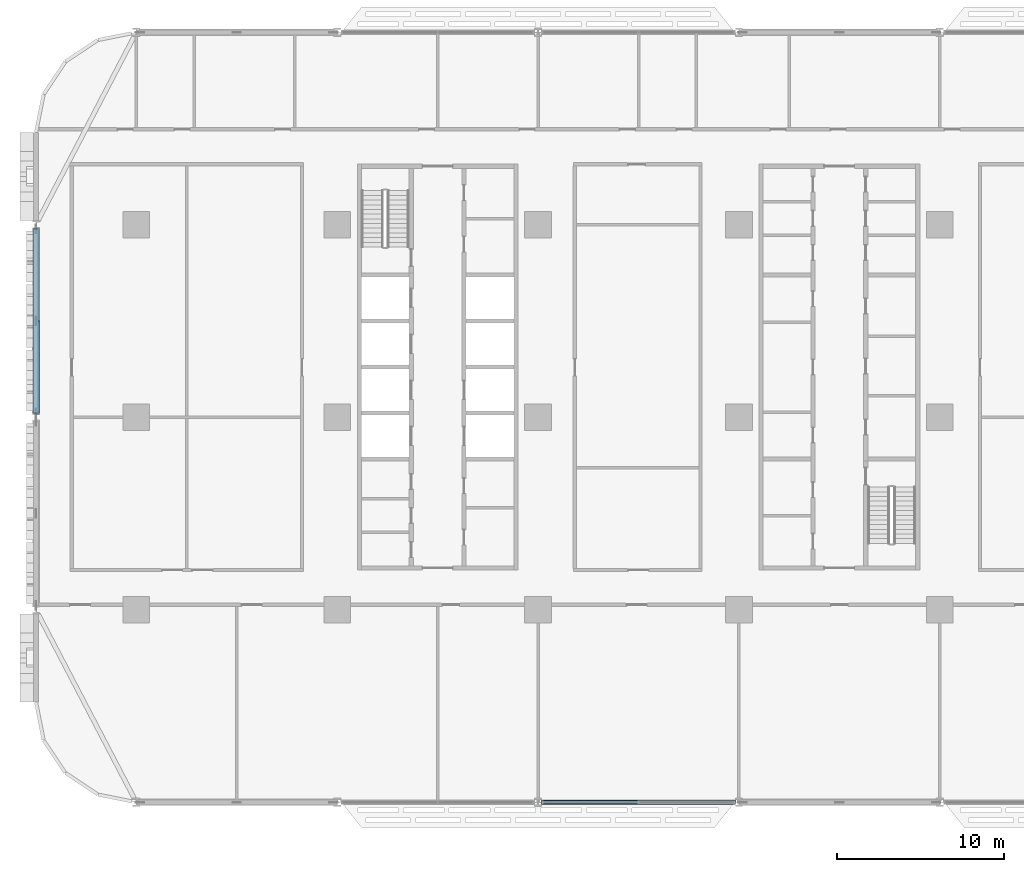
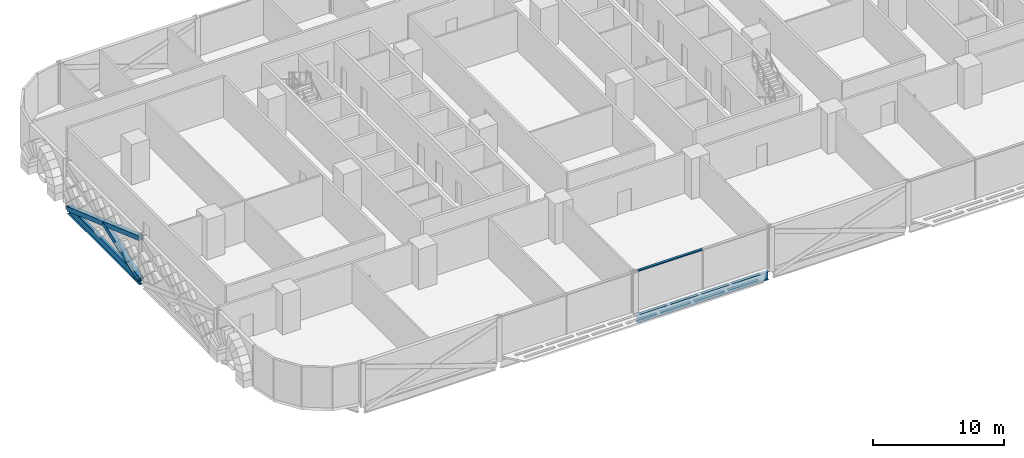
# One storey, part 3 of 29: 3 members, 2 beams, 1 element without a shape of its own.
"""IFC4 building model written with IfcOpenShell, lengths in metres."""

import ifcopenshell
import ifcopenshell.guid

model = None  # the IFC model being written
_history = None  # IfcOwnerHistory: only IFC2X3 demands one
_inside = {}  # id of a spatial element -> (the spatial element, [elements in it])
_under = {}  # id of a project, library or spatial element -> (it, [spatial elements below it])
_declared = {}  # id of a project -> (the project, [libraries it declares])
_typed = {}  # id of a type object -> (the type object, [elements of that type])
_made_of = {}  # id of a material, layer set ... -> (it, [elements and type objects made of it])


def new_model(schema):
    """Start an empty IFC model of exactly this schema.

    Asked for "IFC4X3", IfcOpenShell would pick the latest addendum, in which some entities
    have other attributes; the version numbers below select the first issue.
    IFC2X3 requires an IfcOwnerHistory on every rooted entity: one is made here for all.
    """
    global model, _history
    if schema == "IFC4X3":
        model = ifcopenshell.file(schema_version=(4, 3, 0, 0))
    else:
        model = ifcopenshell.file(schema=schema)
    _inside.clear()
    _under.clear()
    _declared.clear()
    _typed.clear()
    _made_of.clear()
    _history = None
    if model.schema == "IFC2X3":
        org = make("IfcOrganization", Name="unknown")
        user = make(
            "IfcPersonAndOrganization",
            ThePerson=make("IfcPerson", FamilyName="unknown"),
            TheOrganization=org,
        )
        app = make(
            "IfcApplication",
            ApplicationDeveloper=org,
            Version="unknown",
            ApplicationFullName="unknown",
            ApplicationIdentifier="unknown",
        )
        _history = make(
            "IfcOwnerHistory",
            OwningUser=user,
            OwningApplication=app,
            ChangeAction="ADDED",
            CreationDate=0,
        )
    return model


def make(cls, **values):
    """One entity of the class cls with the attributes given. An attribute that is None is left unset."""
    return model.create_entity(
        cls, **{name: value for name, value in values.items() if value is not None}
    )


def rooted(cls, **values):
    """An entity with a GlobalId (a new one), such as an element, a storey or a relation."""
    return make(cls, GlobalId=ifcopenshell.guid.new(), OwnerHistory=_history, **values)


def si_unit(unit_type, name, prefix=None):
    """IfcSIUnit, for example si_unit("LENGTHUNIT", "METRE", prefix="MILLI")."""
    return make("IfcSIUnit", UnitType=unit_type, Prefix=prefix, Name=name)


def assignment(units):
    """IfcUnitAssignment: the units of a project."""
    return None if units is None else make("IfcUnitAssignment", Units=units)


def point(xyz):
    """IfcCartesianPoint."""
    return None if xyz is None else make("IfcCartesianPoint", Coordinates=xyz)


def direction(xyz):
    """IfcDirection."""
    return None if xyz is None else make("IfcDirection", DirectionRatios=xyz)


def frame(location, z_axis=None, x_axis=None):
    """IfcAxis2Placement3D, a coordinate frame: its origin and axes. An axis left out is left unset."""
    return make(
        "IfcAxis2Placement3D",
        Location=point(location),
        Axis=direction(z_axis),
        RefDirection=direction(x_axis),
    )


def frame_2d(location, x_axis=None):
    """IfcAxis2Placement2D, a coordinate frame in the plane: its origin and x axis."""
    return make(
        "IfcAxis2Placement2D", Location=point(location), RefDirection=direction(x_axis)
    )


def origin():
    """The frame at (0, 0, 0) with its axes left unset."""
    return frame((0.0, 0.0, 0.0))


def origin_2d():
    """The frame at (0, 0) in the plane with its x axis left unset."""
    return frame_2d((0.0, 0.0))


def place(relative_to, where):
    """IfcLocalPlacement: puts the frame where relative to a parent placement (None: the world)."""
    return make(
        "IfcLocalPlacement", PlacementRelTo=relative_to, RelativePlacement=where
    )


def context(
    kind, dimensions, precision=None, world=None, true_north=None, identifier=None
):
    """IfcGeometricRepresentationContext, for example the 3D "Model" context."""
    return make(
        "IfcGeometricRepresentationContext",
        ContextIdentifier=identifier,
        ContextType=kind,
        CoordinateSpaceDimension=dimensions,
        Precision=precision,
        WorldCoordinateSystem=world,
        TrueNorth=true_north,
    )


def subcontext(parent, identifier, kind, view, scale=None):
    """IfcGeometricRepresentationSubContext, for example "Body" below "Model"."""
    return make(
        "IfcGeometricRepresentationSubContext",
        ContextIdentifier=identifier,
        ContextType=kind,
        ParentContext=parent,
        TargetScale=scale,
        TargetView=view,
    )


def project(units=None, contexts=None):
    """IfcProject with its units and contexts."""
    return rooted(
        "IfcProject",
        Name="project",
        RepresentationContexts=contexts,
        UnitsInContext=assignment(units),
    )


def spatial(cls, under=None, at=None, **own):
    """A site, building, storey or space (cls), placed at a placement, below another one or the project."""
    s = rooted(cls, ObjectPlacement=at, **own)
    if under is not None:
        _under.setdefault(under.id(), (under, []))[1].append(s)
    return s


def profile(cls, at=None, kind="AREA", **sizes):
    """A parametric profile (cls). Its sizes go by their IFC names, for example OverallWidth=200.0."""
    return make(cls, ProfileType=kind, Position=at, **sizes)


def rectangle(**sizes):
    """IfcRectangleProfileDef."""
    return profile("IfcRectangleProfileDef", **sizes)


def hollow_rectangle(**sizes):
    """IfcRectangleHollowProfileDef."""
    return profile("IfcRectangleHollowProfileDef", **sizes)


def i_section(**sizes):
    """IfcIShapeProfileDef."""
    return profile("IfcIShapeProfileDef", **sizes)


def extrude(swept, where, along, depth):
    """IfcExtrudedAreaSolid: the profile swept, set in the frame where, extruded along a direction by depth."""
    return make(
        "IfcExtrudedAreaSolid",
        SweptArea=swept,
        Position=where,
        ExtrudedDirection=direction(along),
        Depth=depth,
    )


def shape(context_of_items, identifier, shape_type, items):
    """IfcShapeRepresentation: the items that make up one representation, for example the "Body"."""
    return make(
        "IfcShapeRepresentation",
        ContextOfItems=context_of_items,
        RepresentationIdentifier=identifier,
        RepresentationType=shape_type,
        Items=items,
    )


def material(Name=None, Category=None):
    """IfcMaterial."""
    return make("IfcMaterial", Name=Name, Category=Category)


def material_profile(
    of_material, cross_section, Name=None, Category=None, Priority=None
):
    """IfcMaterialProfile: a cross section and its material."""
    return make(
        "IfcMaterialProfile",
        Name=Name,
        Material=of_material,
        Profile=cross_section,
        Priority=Priority,
        Category=Category,
    )


def profile_set(profiles, Name=None, composite=None):
    """IfcMaterialProfileSet."""
    return make(
        "IfcMaterialProfileSet",
        Name=Name,
        MaterialProfiles=profiles,
        CompositeProfile=composite,
    )


def made_of(thing, what):
    """Note that an element or type object is made of a material, layer set ...; save() writes the relation."""
    if what is not None:
        _made_of.setdefault(what.id(), (what, []))[1].append(thing)
    return thing


def type_object(cls, material=None, **own):
    """A type object (cls), such as IfcWallType, which elements share."""
    return made_of(rooted(cls, **own), material)


def element(
    cls,
    number,
    at=None,
    inside=None,
    cuts=None,
    type_object=None,
    material=None,
    context=None,
    identifier="Body",
    shape_type=None,
    held_by="IfcProductDefinitionShape",
    body=None,
    shapes=None,
    **own,
):
    """One element of the class cls, such as IfcWall. Its Tag is "e" and its number.

    at: its placement. inside: the storey or other place that contains it. cuts: it is an
    opening in that element (IfcRelVoidsElement). A single representation is given by context,
    identifier, shape_type and body (its items); several are given by shapes. held_by: the class
    of the entity that holds the representations. save() writes the other relations.
    """
    e = rooted(cls, Tag="e%d" % number, ObjectPlacement=at, **own)
    if body is not None:
        shapes = [shape(context, identifier, shape_type, body)]
    if shapes is not None:
        e.Representation = make(held_by, Representations=shapes)
    if inside is not None:
        _inside.setdefault(inside.id(), (inside, []))[1].append(e)
    if cuts is not None:
        rooted(
            "IfcRelVoidsElement", RelatingBuildingElement=cuts, RelatedOpeningElement=e
        )
    if type_object is not None:
        _typed.setdefault(type_object.id(), (type_object, []))[1].append(e)
    return made_of(e, material)


def aggregate(whole, parts):
    """IfcRelAggregates: a whole, such as a stair, and the parts it consists of."""
    return rooted("IfcRelAggregates", RelatingObject=whole, RelatedObjects=parts)


def save(model, path):
    """Write the relations noted so far, then the file.

    IfcRelAggregates (storeys below a building ...), IfcRelContainedInSpatialStructure (elements
    in a storey), IfcRelDefinesByType, IfcRelAssociatesMaterial and IfcRelDeclares: one each for
    every whole, place, type object, material and project.
    """
    for whole, parts in _under.values():
        aggregate(whole, parts)
    for where, things in _inside.values():
        rooted(
            "IfcRelContainedInSpatialStructure",
            RelatedElements=things,
            RelatingStructure=where,
        )
    for kind, things in _typed.values():
        rooted("IfcRelDefinesByType", RelatedObjects=things, RelatingType=kind)
    for what, things in _made_of.values():
        rooted("IfcRelAssociatesMaterial", RelatedObjects=things, RelatingMaterial=what)
    for by, libraries in _declared.values():
        rooted("IfcRelDeclares", RelatingContext=by, RelatedDefinitions=libraries)
    model.write(path)


model = new_model("IFC4")

# Units and contexts
model_context = context("Model", 3, precision=1e-05, world=origin(), true_north=direction((0.0, 1.0)))
body_context = subcontext(model_context, "Body", "Model", "MODEL_VIEW")
ifc_project = project(units=[si_unit("LENGTHUNIT", "METRE"), si_unit("AREAUNIT", "SQUARE_METRE"), si_unit("VOLUMEUNIT", "CUBIC_METRE"), si_unit("PLANEANGLEUNIT", "RADIAN"), si_unit("MASSUNIT", "GRAM", prefix="KILO")], contexts=[model_context])

# Site, building, storey
site_placement = place(None, origin())
site = spatial("IfcSite", under=ifc_project, at=site_placement, CompositionType="ELEMENT")
building_placement = place(site_placement, origin())
building = spatial("IfcBuilding", under=site, at=building_placement, Name="Mahtab Terrace Research Tower", CompositionType="ELEMENT")
storey_placement = place(building_placement, frame((0.0, 0.0, 37.300048828125)))
storey = spatial("IfcBuildingStorey", under=building, at=storey_placement, Name="L08", CompositionType="ELEMENT", Elevation=37.300048828125)

# Members
ifc_material_1 = material(Name="Steel ASTM A500 Gr C", Category="steel")
ifc_material_profile_1 = material_profile(ifc_material_1, hollow_rectangle(XDim=0.406494140625, YDim=0.406494140625, WallThickness=0.01904296875, at=origin_2d()), Name="HSS16X16X3/4")
ifc_profile_set_1 = profile_set([ifc_material_profile_1], Name="Steel ASTM A500 Gr C")
member_type_1 = type_object("IfcMemberType", Name="HSS 16x16x3/4 brace XB161634", PredefinedType="BRACE", material=ifc_profile_set_1)
member_1_placement = place(storey_placement, frame((-48.0, 11.251220703125, -0.6298828125), z_axis=(0.0, -0.9421913705, 0.335075247304), x_axis=(1.0, 0.0, 0.0)))
element("IfcMember", 1, at=member_1_placement, inside=storey, type_object=member_type_1, Name="Exoskeleton brace L08 09 a", PredefinedType="BRACE", context=body_context, shape_type="SweptSolid", body=[
    extrude(hollow_rectangle(XDim=0.406494140625, YDim=0.406494140625, WallThickness=0.01904296875, at=origin_2d()), origin(), (0.0, 0.0, 1.0), 11.677490234375),
])
member_2_placement = place(storey_placement, frame((-48.0, 0.248779296875, -0.6298828125), z_axis=(0.0, 0.942197970783, 0.33505668752), x_axis=(-1.0, 0.0, 0.0)))
element("IfcMember", 2, at=member_2_placement, inside=storey, type_object=member_type_1, Name="Exoskeleton brace L08 09 b1", PredefinedType="BRACE", context=body_context, shape_type="SweptSolid", body=[
    extrude(hollow_rectangle(XDim=0.406494140625, YDim=0.406494140625, WallThickness=0.01904296875, at=origin_2d()), origin(), (0.0, 0.0, 1.0), 5.838623046875),
])

# Curtain wall, member
ifc_material_2 = material(Name="Laboratory ribbon curtain wall")
curtain_wall_type = type_object("IfcCurtainWallType", Name="Laboratory ribbon curtain wall", PredefinedType="NOTDEFINED", material=ifc_material_2)
curtain_wall_placement = place(storey_placement, origin())
curtain_wall = element("IfcCurtainWall", 3, at=curtain_wall_placement, inside=storey, type_object=curtain_wall_type, Name="EN.L08.13.24", PredefinedType="NOTDEFINED")
ifc_material_3 = material(Name="Natural anodised aluminium", Category="aluminium")
ifc_material_profile_2 = material_profile(ifc_material_3, rectangle(XDim=0.199951171875, YDim=0.10009765625, at=origin_2d()), Name="TRANSOM 100x200")
ifc_profile_set_2 = profile_set([ifc_material_profile_2], Name="Natural anodised aluminium")
member_type_2 = type_object("IfcMemberType", Name="Laboratory ribbon curtain wall transom", PredefinedType="USERDEFINED", material=ifc_profile_set_2)
member_3_placement = place(storey_placement, frame((-17.68603515625, -23.0, 3.699951171875), z_axis=(1.0, 0.0, 0.0), x_axis=(0.0, 1.0, 0.0)))
member_3 = element("IfcMember", 4, at=member_3_placement, type_object=member_type_2, Name="CWL-1 transom 1", ObjectType="TRANSOM", PredefinedType="USERDEFINED", context=body_context, shape_type="SweptSolid", body=[
    extrude(rectangle(XDim=0.199951171875, YDim=0.10009765625, at=origin_2d()), origin(), (0.0, 0.0, 1.0), 5.653564453125),
])
aggregate(curtain_wall, [member_3])

# Beams
ifc_material_4 = material(Name="Steel ASTM A992 Gr 50", Category="steel")
ifc_material_profile_3 = material_profile(ifc_material_4, i_section(OverallWidth=0.2666015625, OverallDepth=0.7568359375, WebThickness=0.013916015625, FlangeThickness=0.019287109375, at=origin_2d()), Name="W30X108")
ifc_profile_set_3 = profile_set([ifc_material_profile_3], Name="Steel ASTM A992 Gr 50")
beam_type = type_object("IfcBeamType", Name="W30x108 beam BS30108", PredefinedType="BEAM", material=ifc_profile_set_3)
beam_1_placement = place(storey_placement, frame((-48.0, 11.251220703125, -0.718505859375), z_axis=(0.0, -1.0, 0.0), x_axis=(1.0, 0.0, 0.0)))
element("IfcBeam", 5, at=beam_1_placement, inside=storey, type_object=beam_type, Name="Spandrel beam L08 09", PredefinedType="BEAM", context=body_context, shape_type="SweptSolid", body=[
    extrude(i_section(OverallWidth=0.2666015625, OverallDepth=0.7568359375, WebThickness=0.013916015625, FlangeThickness=0.019287109375, at=origin_2d()), origin(), (0.0, 0.0, 1.0), 11.00244140625),
])
beam_2_placement = place(storey_placement, frame((-17.7841796875, -23.0, -0.718505859375), z_axis=(1.0, 0.0, 0.0), x_axis=(0.0, 1.0, 0.0)))
element("IfcBeam", 6, at=beam_2_placement, inside=storey, type_object=beam_type, Name="Spandrel beam L08 14", PredefinedType="BEAM", context=body_context, shape_type="SweptSolid", body=[
    extrude(i_section(OverallWidth=0.2666015625, OverallDepth=0.7568359375, WebThickness=0.013916015625, FlangeThickness=0.019287109375, at=origin_2d()), origin(), (0.0, 0.0, 1.0), 11.568359375),
])

save(model, "model.ifc")
